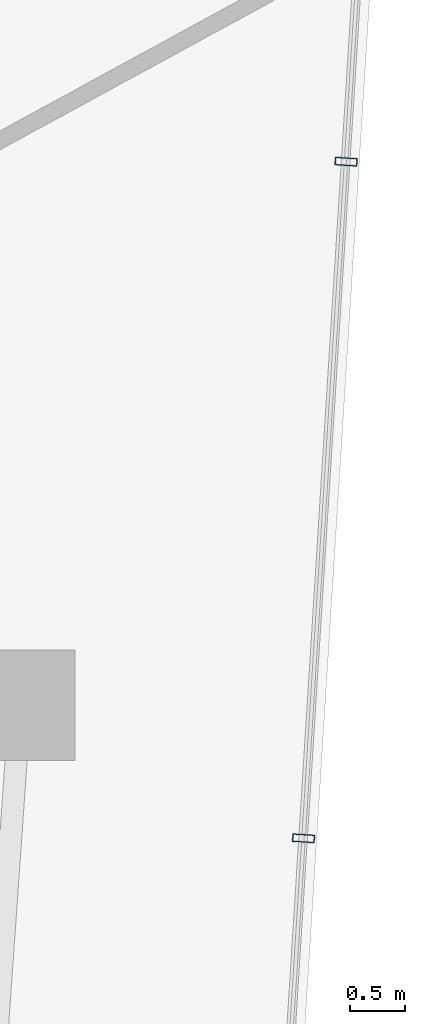
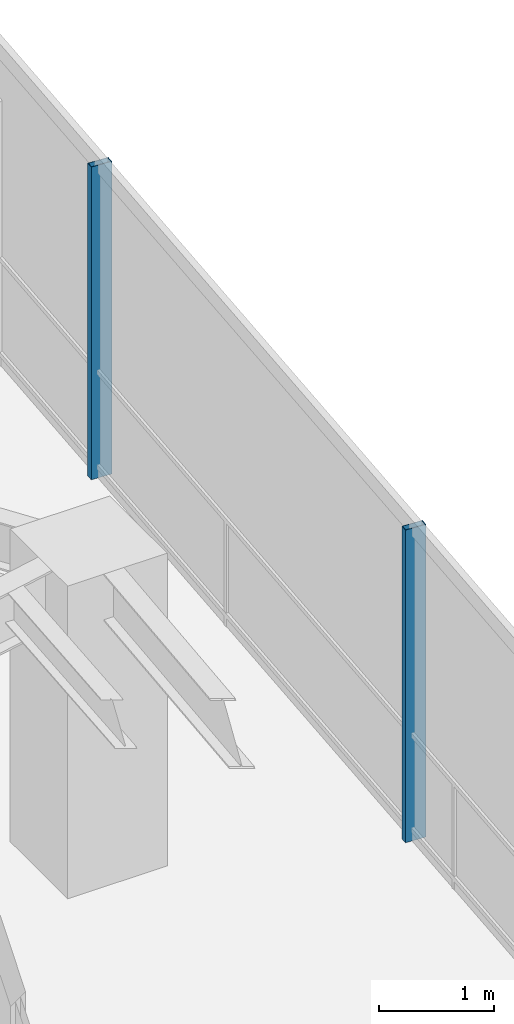
# One storey, part 11 of 21: 2 members, 1 element without a shape of its own.
"""IFC4 building model written with IfcOpenShell, lengths in metres."""

from ifc_helpers import new_model, si_unit, direction, frame, origin, origin_2d, place, context, subcontext, project, spatial, hollow_rectangle, extrude, material, layer, layer_set, material_profile, profile_set, type_object, element, aggregate, save


model = new_model("IFC4")

# Units and contexts
model_context = context("Model", 3, precision=1e-05, world=origin(), true_north=direction((0.0, 1.0)))
body_context = subcontext(model_context, "Body", "Model", "MODEL_VIEW")
ifc_project = project(units=[si_unit("LENGTHUNIT", "METRE"), si_unit("AREAUNIT", "SQUARE_METRE"), si_unit("VOLUMEUNIT", "CUBIC_METRE"), si_unit("PLANEANGLEUNIT", "RADIAN"), si_unit("MASSUNIT", "GRAM", prefix="KILO")], contexts=[model_context])

# Site, building, storey
site_placement = place(None, origin())
site = spatial("IfcSite", under=ifc_project, at=site_placement, CompositionType="ELEMENT")
building_placement = place(site_placement, origin())
building = spatial("IfcBuilding", under=site, at=building_placement, Name="Qarnah Convention Tower", CompositionType="ELEMENT")
storey_placement = place(building_placement, frame((0.0, 0.0, 165.300048828125)))
storey = spatial("IfcBuildingStorey", under=building, at=storey_placement, Name="L44", CompositionType="ELEMENT", Elevation=165.300048828125)

# Curtain wall, members
ifc_material_1 = material(Name="Tempered Low-E dark glass", Category="glass")
ifc_layer = layer(ifc_material_1, 0.172119140625)
ifc_layer_set = layer_set([ifc_layer], Name="Tempered Low-E dark glass")
curtain_wall_type = type_object("IfcCurtainWallType", Name="CWS-03", PredefinedType="NOTDEFINED", material=ifc_layer_set)
curtain_wall_placement = place(storey_placement, origin())
curtain_wall = element("IfcCurtainWall", 1, at=curtain_wall_placement, inside=storey, type_object=curtain_wall_type, Name="L44 unitised curtain wall CW-L44-F3", PredefinedType="NOTDEFINED")
ifc_material_2 = material(Name="Black anodised aluminium", Category="aluminium")
ifc_material_profile = material_profile(ifc_material_2, hollow_rectangle(XDim=0.070068359375, YDim=0.199951171875, WallThickness=0.0048828125, at=origin_2d()), Name="MUL-70X200")
ifc_profile_set = profile_set([ifc_material_profile], Name="Black anodised aluminium")
member_type = type_object("IfcMemberType", Name="MUL-T3", PredefinedType="MULLION", material=ifc_profile_set)
member_1_placement = place(storey_placement, frame((54.68115234375, 34.4150390625, 0.0), z_axis=(0.0, 0.0, 1.0), x_axis=(-0.062781496561, -0.998027296064, 0.0)))
member_1 = element("IfcMember", 2, at=member_1_placement, type_object=member_type, Name="CW-L44-F3 mullion 2", PredefinedType="MULLION", context=body_context, shape_type="SweptSolid", body=[
    extrude(hollow_rectangle(XDim=0.070068359375, YDim=0.199951171875, WallThickness=0.0048828125, at=origin_2d()), origin(), (0.0, 0.0, 1.0), 3.320068359375),
])
member_2_placement = place(storey_placement, frame((54.29541015625, 28.281982421875, 0.0), z_axis=(0.0, 0.0, 1.0), x_axis=(-0.062781496561, -0.998027296064, 0.0)))
member_2 = element("IfcMember", 3, at=member_2_placement, type_object=member_type, Name="CW-L44-F3 mullion 3", PredefinedType="MULLION", context=body_context, shape_type="SweptSolid", body=[
    extrude(hollow_rectangle(XDim=0.070068359375, YDim=0.199951171875, WallThickness=0.0048828125, at=origin_2d()), origin(), (0.0, 0.0, 1.0), 3.320068359375),
])
aggregate(curtain_wall, [member_1, member_2])

save(model, "model.ifc")
